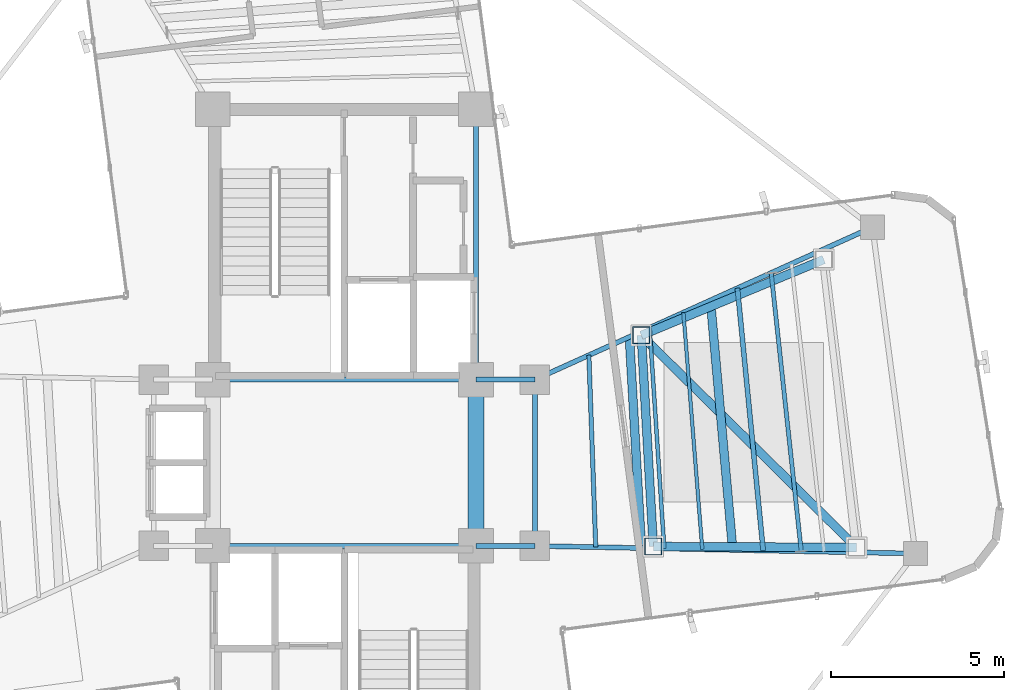
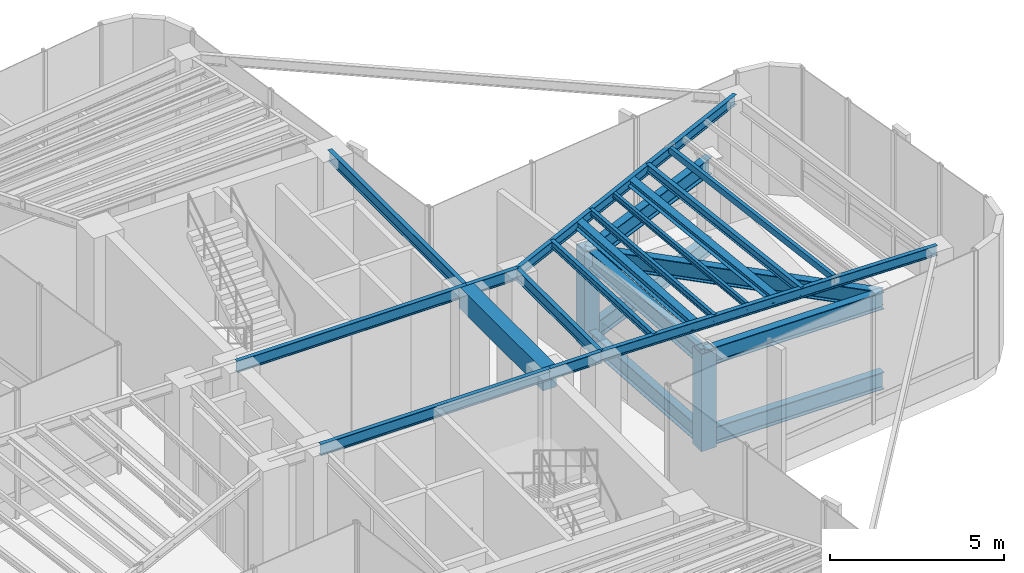
# One storey, part 7 of 16: 23 beams, 2 members.
"""IFC4 building model written with IfcOpenShell, lengths in metres."""

from ifc_helpers import new_model, si_unit, direction, frame, origin, origin_2d, place, context, subcontext, project, spatial, rectangle, hollow_rectangle, i_section, extrude, source, transform, mapped, material, material_profile, profile_set, type_object, element, save


model = new_model("IFC4")

# Units and contexts
model_context = context("Model", 3, precision=1e-05, world=origin(), true_north=direction((0.0, 1.0)))
body_context = subcontext(model_context, "Body", "Model", "MODEL_VIEW")
ifc_project = project(units=[si_unit("LENGTHUNIT", "METRE"), si_unit("AREAUNIT", "SQUARE_METRE"), si_unit("VOLUMEUNIT", "CUBIC_METRE"), si_unit("PLANEANGLEUNIT", "RADIAN"), si_unit("MASSUNIT", "GRAM", prefix="KILO")], contexts=[model_context])

# Site, building, storey
site_placement = place(None, origin())
site = spatial("IfcSite", under=ifc_project, at=site_placement, CompositionType="ELEMENT")
building_placement = place(site_placement, origin())
building = spatial("IfcBuilding", under=site, at=building_placement, Name="Sahyath Konkavel Grand Hotel", CompositionType="ELEMENT")
storey_placement = place(building_placement, frame((0.0, 0.0, 280.300048828125)))
storey = spatial("IfcBuildingStorey", under=building, at=storey_placement, Name="L78", CompositionType="ELEMENT", Elevation=280.300048828125)

# Beams
ifc_material_1 = material(Name="Steel E350", Category="steel")
ifc_material_profile_1 = material_profile(ifc_material_1, i_section(OverallWidth=0.139892578125, OverallDepth=0.39990234375, WebThickness=0.0087890625, FlangeThickness=0.01611328125, FilletRadius=0.013916015625, at=origin_2d()), Name="ISMB 400")
ifc_profile_set_1 = profile_set([ifc_material_profile_1], Name="Steel E350")
beam_type_1 = type_object("IfcBeamType", Name="BM-ISMB400", PredefinedType="BEAM", material=ifc_profile_set_1)
shared_shape_1 = source(origin(), body_context, "Body", "SweptSolid", [
    extrude(i_section(OverallWidth=0.139892578125, OverallDepth=0.39990234375, WebThickness=0.0087890625, FlangeThickness=0.01611328125, FilletRadius=0.013916015625, at=origin_2d()), origin(), (0.0, 0.0, 1.0), 7.60009765625),
])
for number, where, z_axis, x_axis, name in (
    (1, (-3.800048828125, 2.39990234375, 4.300048828125), (1.0, 0.0, 0.0), (0.0, 1.0, 0.0), "str:bm:L78:NC-S"),
    (2, (-3.800048828125, -2.39990234375, 4.300048828125), (1.0, 0.0, 0.0), (0.0, 1.0, 0.0), "str:bm:L78:SC-N"),
):
    element("IfcBeam", number, at=place(storey_placement, frame(where, z_axis=z_axis, x_axis=x_axis)), inside=storey, type_object=beam_type_1, Name=name, PredefinedType="BEAM", context=body_context, shape_type="MappedRepresentation", body=[
        mapped(shared_shape_1, transform((0.0, 0.0, 0.0), scale=1.0)),
    ])
shared_shape_2 = source(origin(), body_context, "Body", "SweptSolid", [
    extrude(i_section(OverallWidth=0.139892578125, OverallDepth=0.39990234375, WebThickness=0.0087890625, FlangeThickness=0.01611328125, FilletRadius=0.013916015625, at=origin_2d()), origin(), (0.0, 0.0, 1.0), 7.800048828125),
])
beam_1_placement = place(storey_placement, frame((3.800048828125, 2.39990234375, 4.300048828125), z_axis=(0.0, 1.0, 0.0), x_axis=(-1.0, 0.0, 0.0)))
element("IfcBeam", 3, at=beam_1_placement, inside=storey, type_object=beam_type_1, Name="str:bm:L78:NC-E", PredefinedType="BEAM", context=body_context, shape_type="MappedRepresentation", body=[
    mapped(shared_shape_2, transform((0.0, 0.0, 0.0), scale=1.0)),
])
shared_shape_3 = source(origin(), body_context, "Body", "SweptSolid", [
    extrude(i_section(OverallWidth=0.139892578125, OverallDepth=0.39990234375, WebThickness=0.0087890625, FlangeThickness=0.01611328125, FilletRadius=0.013916015625, at=origin_2d()), origin(), (0.0, 0.0, 1.0), 1.699951171875),
])
for number, where, z_axis, x_axis, name in (
    (4, (3.800048828125, 2.39990234375, 4.300048828125), (1.0, 0.0, 0.0), (0.0, 1.0, 0.0), "str:bm:L78:HB-NE"),
    (5, (3.800048828125, -2.39990234375, 4.300048828125), (1.0, 0.0, 0.0), (0.0, 1.0, 0.0), "str:bm:L78:HB-SE"),
):
    element("IfcBeam", number, at=place(storey_placement, frame(where, z_axis=z_axis, x_axis=x_axis)), inside=storey, type_object=beam_type_1, Name=name, PredefinedType="BEAM", context=body_context, shape_type="MappedRepresentation", body=[
        mapped(shared_shape_3, transform((0.0, 0.0, 0.0), scale=1.0)),
    ])
shared_shape_4 = source(origin(), body_context, "Body", "SweptSolid", [
    extrude(i_section(OverallWidth=0.139892578125, OverallDepth=0.39990234375, WebThickness=0.0087890625, FlangeThickness=0.01611328125, FilletRadius=0.013916015625, at=origin_2d()), origin(), (0.0, 0.0, 1.0), 4.7998046875),
])
beam_2_placement = place(storey_placement, frame((5.5, -2.39990234375, 4.300048828125), z_axis=(0.0, 1.0, 0.0), x_axis=(-1.0, 0.0, 0.0)))
element("IfcBeam", 6, at=beam_2_placement, inside=storey, type_object=beam_type_1, Name="str:bm:L78:HB-E", PredefinedType="BEAM", context=body_context, shape_type="MappedRepresentation", body=[
    mapped(shared_shape_4, transform((0.0, 0.0, 0.0), scale=1.0)),
])
ifc_material_2 = material(Name="Concrete C40/50", Category="concrete")
ifc_material_profile_2 = material_profile(ifc_material_2, rectangle(XDim=0.449951171875, YDim=0.75, at=origin_2d()), Name="RC 450x750")
ifc_profile_set_2 = profile_set([ifc_material_profile_2], Name="Concrete C40/50")
beam_type_2 = type_object("IfcBeamType", Name="BM-CB450x750", PredefinedType="LINTEL", material=ifc_profile_set_2)
shared_shape_5 = source(origin(), body_context, "Body", "SweptSolid", [
    extrude(rectangle(XDim=0.449951171875, YDim=0.75, at=origin_2d()), origin(), (0.0, 0.0, 1.0), 4.7998046875),
])
beam_3_placement = place(storey_placement, frame((3.800048828125, -2.39990234375, 4.125), z_axis=(0.0, 1.0, 0.0), x_axis=(-1.0, 0.0, 0.0)))
element("IfcBeam", 7, at=beam_3_placement, inside=storey, type_object=beam_type_2, Name="L78 Split-Core Coupling Beam East", PredefinedType="LINTEL", context=body_context, shape_type="MappedRepresentation", body=[
    mapped(shared_shape_5, transform((0.0, 0.0, 0.0), scale=1.0)),
])
ifc_material_profile_3 = material_profile(ifc_material_1, i_section(OverallWidth=0.139892578125, OverallDepth=0.35009765625, WebThickness=0.008056640625, FlangeThickness=0.01416015625, FilletRadius=0.013916015625, at=origin_2d()), Name="ISMB 350")
ifc_profile_set_3 = profile_set([ifc_material_profile_3], Name="Steel E350")
beam_type_3 = type_object("IfcBeamType", Name="BM-ISMB350", PredefinedType="BEAM", material=ifc_profile_set_3)
shared_shape_6 = source(origin(), body_context, "Body", "SweptSolid", [
    extrude(i_section(OverallWidth=0.139892578125, OverallDepth=0.35009765625, WebThickness=0.008056640625, FlangeThickness=0.01416015625, FilletRadius=0.013916015625, at=origin_2d()), origin(), (0.0, 0.0, 1.0), 10.9853515625),
])
beam_4_placement = place(storey_placement, frame((5.5, -2.39990234375, 4.324951171875), z_axis=(0.999797716106, -0.020112853337, 0.0), x_axis=(0.020112853337, 0.999797716106, 0.0)))
element("IfcBeam", 8, at=beam_4_placement, inside=storey, type_object=beam_type_3, Name="L78 Cruciform Radial Girder EA", PredefinedType="BEAM", context=body_context, shape_type="MappedRepresentation", body=[
    mapped(shared_shape_6, transform((0.0, 0.0, 0.0), scale=1.0)),
])
shared_shape_7 = source(origin(), body_context, "Body", "SweptSolid", [
    extrude(i_section(OverallWidth=0.139892578125, OverallDepth=0.35009765625, WebThickness=0.008056640625, FlangeThickness=0.01416015625, FilletRadius=0.013916015625, at=origin_2d()), origin(), (0.0, 0.0, 1.0), 10.689697265625),
])
beam_5_placement = place(storey_placement, frame((5.5, 2.39990234375, 4.324951171875), z_axis=(0.911447410295, 0.411416599405, 0.0), x_axis=(-0.411416599405, 0.911447410295, 0.0)))
element("IfcBeam", 9, at=beam_5_placement, inside=storey, type_object=beam_type_3, Name="L78 Cruciform Radial Girder EB", PredefinedType="BEAM", context=body_context, shape_type="MappedRepresentation", body=[
    mapped(shared_shape_7, transform((0.0, 0.0, 0.0), scale=1.0)),
])
ifc_material_profile_4 = material_profile(ifc_material_1, i_section(OverallWidth=0.25, OverallDepth=0.300048828125, WebThickness=0.009521484375, FlangeThickness=0.010498046875, FilletRadius=0.010986328125, at=origin_2d()), Name="ISHB 300")
ifc_profile_set_4 = profile_set([ifc_material_profile_4], Name="Steel E350")
beam_type_4 = type_object("IfcBeamType", Name="BM-ISHB300", PredefinedType="BEAM", material=ifc_profile_set_4)
shared_shape_8 = source(origin(), body_context, "Body", "SweptSolid", [
    extrude(i_section(OverallWidth=0.25, OverallDepth=0.300048828125, WebThickness=0.009521484375, FlangeThickness=0.010498046875, FilletRadius=0.010986328125, at=origin_2d()), origin(), (0.0, 0.0, 1.0), 6.10302734375),
])
beam_6_placement = place(storey_placement, frame((8.5751953125, -2.4619140625, 4.349853515625), z_axis=(-0.056883465537, 0.99838082481, 0.0), x_axis=(-0.99838082481, -0.056883465537, 0.0)))
element("IfcBeam", 10, at=beam_6_placement, inside=storey, type_object=beam_type_4, Name="L78 Secondary Floor Beam E-1", PredefinedType="BEAM", context=body_context, shape_type="MappedRepresentation", body=[
    mapped(shared_shape_8, transform((0.0, 0.0, 0.0), scale=1.0)),
])
ifc_material_profile_5 = material_profile(ifc_material_1, i_section(OverallWidth=0.25, OverallDepth=0.25, WebThickness=0.0087890625, FlangeThickness=0.009765625, FilletRadius=0.010009765625, at=origin_2d()), Name="ISHB 250")
ifc_profile_set_5 = profile_set([ifc_material_profile_5], Name="Steel E350")
beam_type_5 = type_object("IfcBeamType", Name="BM-ISHB250", PredefinedType="BEAM", material=ifc_profile_set_5)
shared_shape_9 = source(origin(), body_context, "Body", "SweptSolid", [
    extrude(i_section(OverallWidth=0.25, OverallDepth=0.25, WebThickness=0.0087890625, FlangeThickness=0.009765625, FilletRadius=0.010009765625, at=origin_2d()), origin(), (0.0, 0.0, 1.0), 7.230712890625),
])
beam_7_placement = place(storey_placement, frame((11.211181640625, -2.514892578125, 4.375), z_axis=(-0.089171800482, 0.996016259907, 0.0), x_axis=(-0.996016259907, -0.089171800482, 0.0)))
element("IfcBeam", 11, at=beam_7_placement, inside=storey, type_object=beam_type_5, Name="L78 Secondary Floor Beam E-2", PredefinedType="BEAM", context=body_context, shape_type="MappedRepresentation", body=[
    mapped(shared_shape_9, transform((0.0, 0.0, 0.0), scale=1.0)),
])
ifc_material_profile_6 = material_profile(ifc_material_1, i_section(OverallWidth=0.125, OverallDepth=0.25, WebThickness=0.0068359375, FlangeThickness=0.012451171875, FilletRadius=0.012939453125, at=origin_2d()), Name="ISMB 250")
ifc_profile_set_6 = profile_set([ifc_material_profile_6], Name="Steel E350")
beam_type_6 = type_object("IfcBeamType", Name="BM-ISMB250", PredefinedType="BEAM", material=ifc_profile_set_6)
shared_shape_10 = source(origin(), body_context, "Body", "SweptSolid", [
    extrude(i_section(OverallWidth=0.125, OverallDepth=0.25, WebThickness=0.0068359375, FlangeThickness=0.012451171875, FilletRadius=0.012939453125, at=origin_2d()), origin(), (0.0, 0.0, 1.0), 5.54248046875),
])
beam_8_placement = place(storey_placement, frame((7.25732421875, -2.435302734375, 4.375), z_axis=(-0.035812512973, 0.999358526213, 0.0), x_axis=(-0.999358526213, -0.035812512973, 0.0)))
element("IfcBeam", 12, at=beam_8_placement, inside=storey, type_object=beam_type_6, Name="L78 Composite Deck Sub-Beam E-1", PredefinedType="BEAM", context=body_context, shape_type="MappedRepresentation", body=[
    mapped(shared_shape_10, transform((0.0, 0.0, 0.0), scale=1.0)),
])
ifc_material_profile_7 = material_profile(ifc_material_1, i_section(OverallWidth=0.110107421875, OverallDepth=0.22509765625, WebThickness=0.006591796875, FlangeThickness=0.01171875, FilletRadius=0.011962890625, at=origin_2d()), Name="ISMB 225")
ifc_profile_set_7 = profile_set([ifc_material_profile_7], Name="Steel E350")
beam_type_7 = type_object("IfcBeamType", Name="BM-ISMB225", PredefinedType="BEAM", material=ifc_profile_set_7)
shared_shape_11 = source(origin(), body_context, "Body", "SweptSolid", [
    extrude(i_section(OverallWidth=0.110107421875, OverallDepth=0.22509765625, WebThickness=0.006591796875, FlangeThickness=0.01171875, FilletRadius=0.011962890625, at=origin_2d()), origin(), (0.0, 0.0, 1.0), 6.38427734375),
])
beam_9_placement = place(storey_placement, frame((9.234375, -2.47509765625, 4.387451171875), z_axis=(-0.066041839115, 0.997816854681, 0.0), x_axis=(-0.997816854681, -0.066041839115, 0.0)))
element("IfcBeam", 13, at=beam_9_placement, inside=storey, type_object=beam_type_7, Name="L78 Composite Deck Sub-Beam E-2", PredefinedType="BEAM", context=body_context, shape_type="MappedRepresentation", body=[
    mapped(shared_shape_11, transform((0.0, 0.0, 0.0), scale=1.0)),
])
ifc_material_profile_8 = material_profile(ifc_material_1, i_section(OverallWidth=0.10009765625, OverallDepth=0.199951171875, WebThickness=0.005615234375, FlangeThickness=0.0107421875, FilletRadius=0.010986328125, at=origin_2d()), Name="ISMB 200")
ifc_profile_set_8 = profile_set([ifc_material_profile_8], Name="Steel E350")
beam_type_8 = type_object("IfcBeamType", Name="BM-ISMB200", PredefinedType="BEAM", material=ifc_profile_set_8)
shared_shape_12 = source(origin(), body_context, "Body", "SweptSolid", [
    extrude(i_section(OverallWidth=0.10009765625, OverallDepth=0.199951171875, WebThickness=0.005615234375, FlangeThickness=0.0107421875, FilletRadius=0.010986328125, at=origin_2d()), origin(), (0.0, 0.0, 1.0), 6.85400390625),
])
beam_10_placement = place(storey_placement, frame((10.33251953125, -2.497314453125, 4.39990234375), z_axis=(-0.079575331875, 0.996828855199, 0.0), x_axis=(-0.996828855199, -0.079575331875, 0.0)))
element("IfcBeam", 14, at=beam_10_placement, inside=storey, type_object=beam_type_8, Name="L78 Composite Deck Sub-Beam E-3", PredefinedType="BEAM", context=body_context, shape_type="MappedRepresentation", body=[
    mapped(shared_shape_12, transform((0.0, 0.0, 0.0), scale=1.0)),
])
ifc_material_profile_9 = material_profile(ifc_material_1, i_section(OverallWidth=0.139892578125, OverallDepth=0.27490234375, WebThickness=0.00634765625, FlangeThickness=0.0087890625, FilletRadius=0.012939453125, at=origin_2d()), Name="ISLB 275")
ifc_profile_set_9 = profile_set([ifc_material_profile_9], Name="Steel E350")
beam_type_9 = type_object("IfcBeamType", Name="BM-ISLB275", PredefinedType="BEAM", material=ifc_profile_set_9)
shared_shape_13 = source(origin(), body_context, "Body", "SweptSolid", [
    extrude(i_section(OverallWidth=0.139892578125, OverallDepth=0.27490234375, WebThickness=0.00634765625, FlangeThickness=0.0087890625, FilletRadius=0.012939453125, at=origin_2d()), origin(), (0.0, 0.0, 1.0), 7.607666015625),
])
beam_11_placement = place(storey_placement, frame((12.08984375, -2.532470703125, 4.362548828125), z_axis=(-0.09778145576, 0.995207911398, 0.0), x_axis=(-0.995207911398, -0.09778145576, 0.0)))
element("IfcBeam", 15, at=beam_11_placement, inside=storey, type_object=beam_type_9, Name="L78 Composite Deck Sub-Beam E-4", PredefinedType="BEAM", context=body_context, shape_type="MappedRepresentation", body=[
    mapped(shared_shape_13, transform((0.0, 0.0, 0.0), scale=1.0)),
])
ifc_material_profile_10 = material_profile(ifc_material_1, hollow_rectangle(XDim=0.1201171875, YDim=0.219970703125, WallThickness=0.010009765625, at=origin_2d()), Name="RHS 220x120x10")
ifc_profile_set_10 = profile_set([ifc_material_profile_10], Name="Steel E350")
beam_type_10 = type_object("IfcBeamType", Name="BM-RHS220", PredefinedType="BEAM", material=ifc_profile_set_10)
shared_shape_14 = source(origin(), body_context, "Body", "SweptSolid", [
    extrude(hollow_rectangle(XDim=0.1201171875, YDim=0.219970703125, WallThickness=0.010009765625, at=origin_2d()), origin(), (0.0, 0.0, 1.0), 8.079833984375),
])
beam_12_placement = place(storey_placement, frame((13.188232421875, -2.5546875, 4.389892578125), z_axis=(-0.107416459243, 0.994214113903, 0.0), x_axis=(-0.994214113903, -0.107416459243, 0.0)))
element("IfcBeam", 16, at=beam_12_placement, inside=storey, type_object=beam_type_10, Name="L78 Composite Deck Sub-Beam E-5", PredefinedType="BEAM", context=body_context, shape_type="MappedRepresentation", body=[
    mapped(shared_shape_14, transform((0.0, 0.0, 0.0), scale=1.0)),
])

# Members
ifc_material_profile_11 = material_profile(ifc_material_1, hollow_rectangle(XDim=0.5, YDim=0.5, WallThickness=0.02490234375, at=origin_2d()), Name="BOX 500x500x25")
ifc_profile_set_11 = profile_set([ifc_material_profile_11], Name="Steel E350")
member_type = type_object("IfcMemberType", Name="TMD-FRAME-COL", PredefinedType="CHORD", material=ifc_profile_set_11)
shared_shape_15 = source(origin(), body_context, "Body", "SweptSolid", [
    extrude(hollow_rectangle(XDim=0.5, YDim=0.5, WallThickness=0.02490234375, at=origin_2d()), origin(), (0.0, 0.0, 1.0), 3.39990234375),
])
for number, where, z_axis, x_axis, name in (
    (17, (8.572265625, 3.6767578125, 0.0), (0.0, 0.0, 1.0), (1.0, 0.0, 0.0), "Tuned Mass Damper Frame Column NW"),
    (18, (8.91943359375, -2.41650390625, 0.0), (0.0, 0.0, 1.0), (1.0, 0.0, 0.0), "Tuned Mass Damper Frame Column SW"),
):
    element("IfcMember", number, at=place(storey_placement, frame(where, z_axis=z_axis, x_axis=x_axis)), inside=storey, type_object=member_type, Name=name, PredefinedType="CHORD", context=body_context, shape_type="MappedRepresentation", body=[
        mapped(shared_shape_15, transform((0.0, 0.0, 0.0), scale=1.0)),
    ])

# Beams
ifc_material_profile_12 = material_profile(ifc_material_1, i_section(OverallWidth=0.25, OverallDepth=0.60009765625, WebThickness=0.01171875, FlangeThickness=0.023681640625, FilletRadius=0.01708984375, at=origin_2d()), Name="ISWB 600")
ifc_profile_set_12 = profile_set([ifc_material_profile_12], Name="Steel E350")
beam_type_11 = type_object("IfcBeamType", Name="TMD-FRAME-BM", PredefinedType="BEAM", material=ifc_profile_set_12)
shared_shape_16 = source(origin(), body_context, "Body", "SweptSolid", [
    extrude(i_section(OverallWidth=0.25, OverallDepth=0.60009765625, WebThickness=0.01171875, FlangeThickness=0.023681640625, FilletRadius=0.01708984375, at=origin_2d()), origin(), (0.0, 0.0, 1.0), 5.703369140625),
])
for number, where, z_axis, x_axis, name in (
    (19, (8.572265625, 3.6767578125, 0.300048828125), (0.923452616731, 0.383712476539, 0.0), (-0.383712476539, 0.923452616731, 0.0), "Tuned Mass Damper Frame Plinth Girder N"),
    (20, (8.572265625, 3.6767578125, 3.099853515625), (0.923452616731, 0.383712476539, 0.0), (-0.383712476539, 0.923452616731, 0.0), "Tuned Mass Damper Frame Top Beam TN"),
):
    element("IfcBeam", number, at=place(storey_placement, frame(where, z_axis=z_axis, x_axis=x_axis)), inside=storey, type_object=beam_type_11, Name=name, PredefinedType="BEAM", context=body_context, shape_type="MappedRepresentation", body=[
        mapped(shared_shape_16, transform((0.0, 0.0, 0.0), scale=1.0)),
    ])
shared_shape_17 = source(origin(), body_context, "Body", "SweptSolid", [
    extrude(i_section(OverallWidth=0.25, OverallDepth=0.60009765625, WebThickness=0.01171875, FlangeThickness=0.023681640625, FilletRadius=0.01708984375, at=origin_2d()), origin(), (0.0, 0.0, 1.0), 5.862060546875),
])
for number, where, z_axis, x_axis, name in (
    (21, (8.91943359375, -2.41650390625, 0.300048828125), (0.999988330349, -0.004831062693, 0.0), (0.004831062693, 0.999988330349, 0.0), "Tuned Mass Damper Frame Plinth Girder S"),
    (22, (8.91943359375, -2.41650390625, 3.099853515625), (0.999988330349, -0.004831062693, 0.0), (0.004831062693, 0.999988330349, 0.0), "Tuned Mass Damper Frame Top Beam TS"),
):
    element("IfcBeam", number, at=place(storey_placement, frame(where, z_axis=z_axis, x_axis=x_axis)), inside=storey, type_object=beam_type_11, Name=name, PredefinedType="BEAM", context=body_context, shape_type="MappedRepresentation", body=[
        mapped(shared_shape_17, transform((0.0, 0.0, 0.0), scale=1.0)),
    ])
shared_shape_18 = source(origin(), body_context, "Body", "SweptSolid", [
    extrude(i_section(OverallWidth=0.25, OverallDepth=0.60009765625, WebThickness=0.01171875, FlangeThickness=0.023681640625, FilletRadius=0.01708984375, at=origin_2d()), origin(), (0.0, 0.0, 1.0), 6.10302734375),
])
for number, where, z_axis, x_axis, name in (
    (23, (8.572265625, 3.6767578125, 0.300048828125), (0.056883465537, -0.99838082481, 0.0), (0.99838082481, 0.056883465537, 0.0), "Tuned Mass Damper Frame Plinth Girder W"),
    (24, (8.572265625, 3.6767578125, 3.099853515625), (0.056883465537, -0.99838082481, 0.0), (0.99838082481, 0.056883465537, 0.0), "Tuned Mass Damper Frame Top Beam TW"),
):
    element("IfcBeam", number, at=place(storey_placement, frame(where, z_axis=z_axis, x_axis=x_axis)), inside=storey, type_object=beam_type_11, Name=name, PredefinedType="BEAM", context=body_context, shape_type="MappedRepresentation", body=[
        mapped(shared_shape_18, transform((0.0, 0.0, 0.0), scale=1.0)),
    ])
shared_shape_19 = source(origin(), body_context, "Body", "SweptSolid", [
    extrude(i_section(OverallWidth=0.25, OverallDepth=0.60009765625, WebThickness=0.01171875, FlangeThickness=0.023681640625, FilletRadius=0.01708984375, at=origin_2d()), origin(), (0.0, 0.0, 1.0), 8.719482421875),
])
beam_13_placement = place(storey_placement, frame((8.572265625, 3.6767578125, 3.099853515625), z_axis=(0.71211485488, -0.702062983968, 0.0), x_axis=(0.702062983968, 0.71211485488, 0.0)))
element("IfcBeam", 25, at=beam_13_placement, inside=storey, type_object=beam_type_11, Name="Tuned Mass Damper Frame Top Beam TC", PredefinedType="BEAM", context=body_context, shape_type="MappedRepresentation", body=[
    mapped(shared_shape_19, transform((0.0, 0.0, 0.0), scale=1.0)),
])

save(model, "model.ifc")
